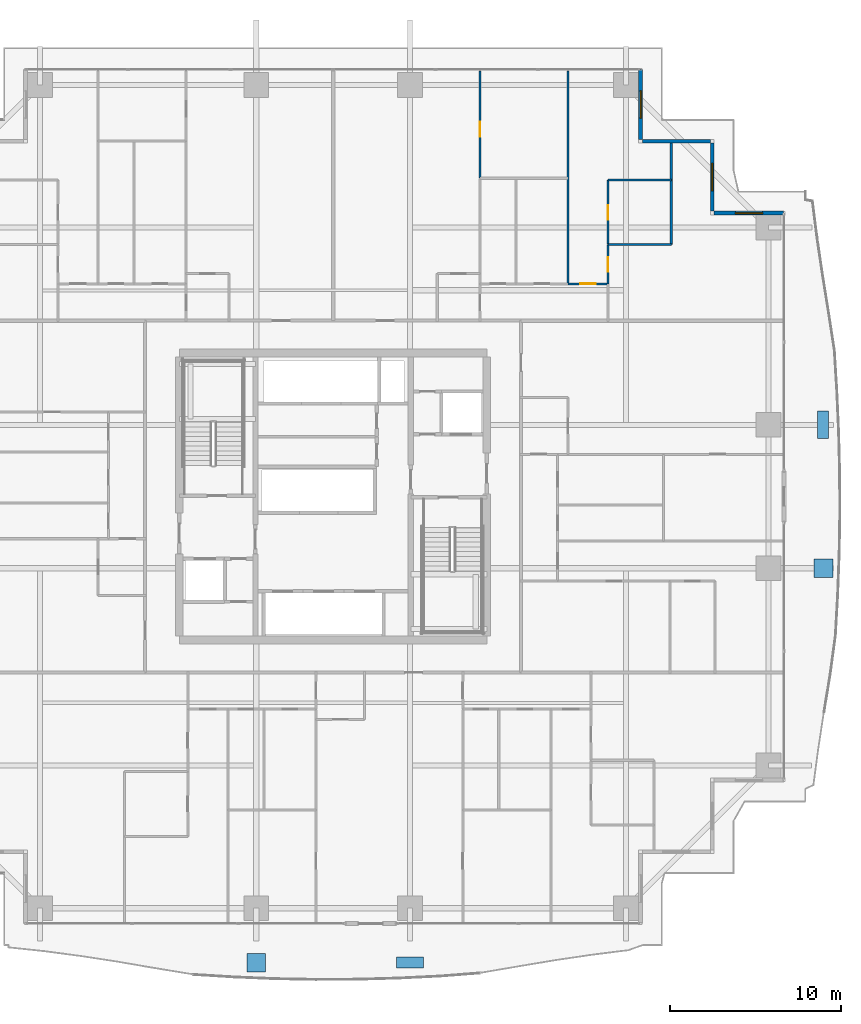
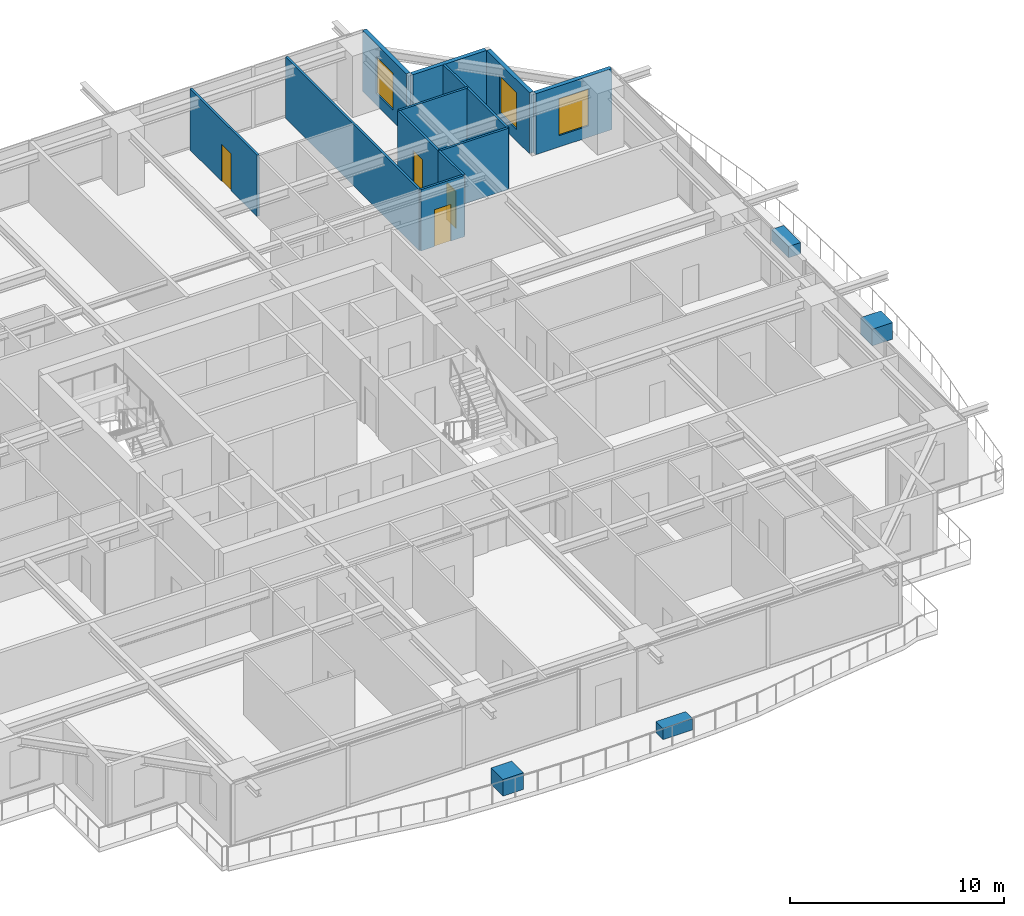
# One storey, part 32 of 39: 12 walls, 4 discrete accessories, 4 doors, 3 windows, 7 openings.
"""IFC4 building model written with IfcOpenShell, lengths in metres."""

from ifc_helpers import new_model, si_unit, direction, frame, frame_2d, origin, origin_2d, place, context, subcontext, project, spatial, rectangle, extrude, source, transform, mapped, material, layer, layer_set, type_object, element, fill, save


model = new_model("IFC4")

# Units and contexts
model_context = context("Model", 3, precision=1e-05, world=origin(), true_north=direction((0.0, 1.0)))
body_context = subcontext(model_context, "Body", "Model", "MODEL_VIEW")
ifc_project = project(units=[si_unit("LENGTHUNIT", "METRE"), si_unit("AREAUNIT", "SQUARE_METRE"), si_unit("VOLUMEUNIT", "CUBIC_METRE"), si_unit("PLANEANGLEUNIT", "RADIAN"), si_unit("MASSUNIT", "GRAM", prefix="KILO")], contexts=[model_context])

# Site, building, storey
site_placement = place(None, origin())
site = spatial("IfcSite", under=ifc_project, at=site_placement, CompositionType="ELEMENT")
building_placement = place(site_placement, origin())
building = spatial("IfcBuilding", under=site, at=building_placement, Name="Serunith Strait Residences", CompositionType="ELEMENT")
storey_placement = place(building_placement, frame((0.0, 0.0, 94.199951171875)))
storey = spatial("IfcBuildingStorey", under=building, at=storey_placement, Name="L23", CompositionType="ELEMENT", Elevation=94.199951171875)

# Wall, opening, window
ifc_material_1 = material(Name="Pale-Champagne Aluminium Insulated Panel", Category="aluminium")
ifc_layer_1 = layer(ifc_material_1, 0.219970703125, Name="Pale-Champagne Aluminium Insulated Panel")
ifc_layer_set_1 = layer_set([ifc_layer_1], Name="Pale-Champagne Aluminium Insulated Panel")
wall_type_1 = type_object("IfcWallType", Name="EW-ALUM-220", PredefinedType="ELEMENTEDWALL", material=ifc_layer_set_1)
wall_1_placement = place(storey_placement, frame((58.800048828125, 41.800048828125, 0.0), z_axis=(0.0, 0.0, 1.0), x_axis=(-1.0, 0.0, 0.0)))
wall_1 = element("IfcWall", 1, at=wall_1_placement, inside=storey, type_object=wall_type_1, Name="L23 Girih Serrated Corner Wall 07", PredefinedType="ELEMENTEDWALL", context=body_context, shape_type="SweptSolid", body=[
    extrude(rectangle(XDim=4.090087890625, YDim=0.219970703125, at=frame_2d((2.044921875, 0.0))), origin(), (0.0, 0.0, 1.0), 3.47509765625),
])
opening_1_placement = place(wall_1_placement, frame((1.2451171875, 0.0, 0.64990234375)))
opening_1 = element("IfcOpeningElement", 2, at=opening_1_placement, cuts=wall_1, Name="Opening W-02", PredefinedType="OPENING", context=body_context, shape_type="SweptSolid", body=[
    extrude(rectangle(XDim=1.60009765625, YDim=2.10009765625, at=frame_2d((0.800048828125, 1.050048828125))), frame((0.0, 0.1201171875, 0.0), z_axis=(0.0, -1.0, 0.0), x_axis=(1.0, 0.0, 0.0)), (0.0, 0.0, 1.0), 0.239990234375),
])
ifc_material_2 = material(Name="Ceramic-Fritted Operable Aluminium Window Glass", Category="aluminium")
window_type = type_object("IfcWindowType", Name="WIN-C2", PartitioningType="DOUBLE_PANEL_VERTICAL", PredefinedType="WINDOW", material=ifc_material_2)
shared_shape_1 = source(origin(), body_context, "Body", "SweptSolid", [
    extrude(rectangle(XDim=1.60009765625, YDim=2.10009765625, at=frame_2d((0.800048828125, 1.050048828125))), frame((0.0, 0.030029296875, 0.0), z_axis=(0.0, -1.0, 0.0), x_axis=(1.0, 0.0, 0.0)), (0.0, 0.0, 1.0), 0.06005859375),
])
window_1_placement = place(opening_1_placement, origin())
window_1 = element("IfcWindow", 3, at=window_1_placement, inside=storey, type_object=window_type, Name="L23 Corner Operable Fritted Window 07", OverallHeight=2.10009765625, OverallWidth=1.60009765625, PartitioningType="SINGLE_PANEL", PredefinedType="WINDOW", context=body_context, shape_type="MappedRepresentation", body=[
    mapped(shared_shape_1, transform((0.0, 0.0, 0.0), scale=1.0)),
])
fill(opening_1, window_1)

wall_2_placement = place(storey_placement, frame((54.60009765625, 41.909912109375, 0.0), z_axis=(0.0, 0.0, 1.0), x_axis=(0.0, 1.0, 0.0)))
wall_2 = element("IfcWall", 4, at=wall_2_placement, inside=storey, type_object=wall_type_1, Name="L23 Girih Serrated Corner Wall 08", PredefinedType="ELEMENTEDWALL", context=body_context, shape_type="SweptSolid", body=[
    extrude(rectangle(XDim=3.97998046875, YDim=0.219970703125, at=frame_2d((1.989990234375, 0.0))), origin(), (0.0, 0.0, 1.0), 3.47509765625),
])
opening_2_placement = place(wall_2_placement, frame((1.18994140625, 0.0, 0.64990234375)))
opening_2 = element("IfcOpeningElement", 5, at=opening_2_placement, cuts=wall_2, Name="Opening W-02", PredefinedType="OPENING", context=body_context, shape_type="SweptSolid", body=[
    extrude(rectangle(XDim=1.60009765625, YDim=2.10009765625, at=frame_2d((0.800048828125, 1.050048828125))), frame((0.0, 0.1201171875, 0.0), z_axis=(0.0, -1.0, 0.0), x_axis=(1.0, 0.0, 0.0)), (0.0, 0.0, 1.0), 0.239990234375),
])
window_2_placement = place(opening_2_placement, origin())
window_2 = element("IfcWindow", 6, at=window_2_placement, inside=storey, type_object=window_type, Name="L23 Corner Operable Fritted Window 08", OverallHeight=2.10009765625, OverallWidth=1.60009765625, PartitioningType="SINGLE_PANEL", PredefinedType="WINDOW", context=body_context, shape_type="MappedRepresentation", body=[
    mapped(shared_shape_1, transform((0.0, 0.0, 0.0), scale=1.0)),
])
fill(opening_2, window_2)

# Wall
wall_3_placement = place(storey_placement, frame((54.489990234375, 46.0, 0.0), z_axis=(0.0, 0.0, 1.0), x_axis=(-1.0, 0.0, 0.0)))
element("IfcWall", 7, at=wall_3_placement, inside=storey, type_object=wall_type_1, Name="L23 Girih Serrated Corner Wall 09", PredefinedType="ELEMENTEDWALL", context=body_context, shape_type="SweptSolid", body=[
    extrude(rectangle(XDim=3.97998046875, YDim=0.219970703125, at=frame_2d((1.989990234375, 0.0))), origin(), (0.0, 0.0, 1.0), 3.47509765625),
])

# Wall, opening, window
wall_4_placement = place(storey_placement, frame((50.39990234375, 46.110107421875, 0.0), z_axis=(0.0, 0.0, 1.0), x_axis=(0.0, 1.0, 0.0)))
wall_4 = element("IfcWall", 8, at=wall_4_placement, inside=storey, type_object=wall_type_1, Name="L23 Girih Serrated Corner Wall 10", PredefinedType="ELEMENTEDWALL", context=body_context, shape_type="SweptSolid", body=[
    extrude(rectangle(XDim=4.08984375, YDim=0.219970703125, at=frame_2d((2.044921875, 0.0))), origin(), (0.0, 0.0, 1.0), 3.47509765625),
])
opening_3_placement = place(wall_4_placement, frame((1.2451171875, 0.0, 0.64990234375)))
opening_3 = element("IfcOpeningElement", 9, at=opening_3_placement, cuts=wall_4, Name="Opening W-02", PredefinedType="OPENING", context=body_context, shape_type="SweptSolid", body=[
    extrude(rectangle(XDim=1.60009765625, YDim=2.10009765625, at=frame_2d((0.800048828125, 1.050048828125))), frame((0.0, 0.1201171875, 0.0), z_axis=(0.0, -1.0, 0.0), x_axis=(1.0, 0.0, 0.0)), (0.0, 0.0, 1.0), 0.239990234375),
])
window_3_placement = place(opening_3_placement, origin())
window_3 = element("IfcWindow", 10, at=window_3_placement, inside=storey, type_object=window_type, Name="L23 Corner Operable Fritted Window 10", OverallHeight=2.10009765625, OverallWidth=1.60009765625, PartitioningType="SINGLE_PANEL", PredefinedType="WINDOW", context=body_context, shape_type="MappedRepresentation", body=[
    mapped(shared_shape_1, transform((0.0, 0.0, 0.0), scale=1.0)),
])
fill(opening_3, window_3)

# Wall, opening, door
ifc_material_3 = material(Name="Lightweight steel-stud gypsum partition", Category="steel")
ifc_layer_2 = layer(ifc_material_3, 0.1201171875, Name="Lightweight steel-stud gypsum partition")
ifc_layer_set_2 = layer_set([ifc_layer_2], Name="Lightweight steel-stud gypsum partition")
wall_type_2 = type_object("IfcWallType", Name="IW-PART-120", PredefinedType="PARTITIONING", material=ifc_layer_set_2)
wall_5_placement = place(storey_placement, frame((41.0, 50.10498046875, 0.0), z_axis=(0.0, 0.0, 1.0), x_axis=(0.0, -1.0, 0.0)))
wall_5 = element("IfcWall", 11, at=wall_5_placement, inside=storey, type_object=wall_type_2, Name="L23 Partition Wall 078", PredefinedType="PARTITIONING", context=body_context, shape_type="SweptSolid", body=[
    extrude(rectangle(XDim=6.26904296875, YDim=0.1201171875, at=frame_2d((3.134521484375, 0.0))), origin(), (0.0, 0.0, 1.0), 3.489990234375),
])
opening_4_placement = place(wall_5_placement, frame((2.952880859375, 0.0, 0.0)))
opening_4 = element("IfcOpeningElement", 12, at=opening_4_placement, cuts=wall_5, Name="Opening D-RM900", PredefinedType="OPENING", context=body_context, shape_type="SweptSolid", body=[
    extrude(rectangle(XDim=0.89990234375, YDim=2.10009765625, at=frame_2d((0.449951171875, 1.050048828125))), frame((0.0, 0.070068359375, 0.0), z_axis=(0.0, -1.0, 0.0), x_axis=(1.0, 0.0, 0.0)), (0.0, 0.0, 1.0), 0.14013671875),
])
ifc_material_4 = material(Name="Engineered timber flush bedroom door", Category="wood")
door_type_1 = type_object("IfcDoorType", Name="ID-ROOM-900", OperationType="NOTDEFINED", PredefinedType="DOOR", material=ifc_material_4)
shared_shape_2 = source(origin(), body_context, "Body", "SweptSolid", [
    extrude(rectangle(XDim=0.89990234375, YDim=2.10009765625, at=frame_2d((0.449951171875, 1.050048828125))), frame((0.0, 0.02490234375, 0.0), z_axis=(0.0, -1.0, 0.0), x_axis=(1.0, 0.0, 0.0)), (0.0, 0.0, 1.0), 0.050048828125),
])
door_1_placement = place(opening_4_placement, origin())
door_1 = element("IfcDoor", 13, at=door_1_placement, inside=storey, type_object=door_type_1, Name="L23 Formal Dining Room 1 2303 Door", OperationType="SINGLE_SWING_RIGHT", OverallHeight=2.10009765625, OverallWidth=0.89990234375, PredefinedType="DOOR", context=body_context, shape_type="MappedRepresentation", body=[
    mapped(shared_shape_2, transform((0.0, 0.0, 0.0), scale=1.0)),
])
fill(opening_4, door_1)

# Wall
wall_6_placement = place(storey_placement, frame((46.14990234375, 50.10498046875, 0.0), z_axis=(0.0, 0.0, 1.0), x_axis=(0.0, -1.0, 0.0)))
element("IfcWall", 14, at=wall_6_placement, inside=storey, type_object=wall_type_2, Name="L23 Partition Wall 081", PredefinedType="PARTITIONING", context=body_context, shape_type="SweptSolid", body=[
    extrude(rectangle(XDim=12.455078125, YDim=0.1201171875, at=frame_2d((6.2275390625, 0.0))), origin(), (0.0, 0.0, 1.0), 3.489990234375),
])

# Wall, opening, door
wall_7_placement = place(storey_placement, frame((46.152099609375, 37.64990234375, 0.0), z_axis=(0.0, 0.0, 1.0), x_axis=(1.0, 0.0, 0.0)))
wall_7 = element("IfcWall", 15, at=wall_7_placement, inside=storey, type_object=wall_type_2, Name="L23 Partition Wall 085", PredefinedType="PARTITIONING", context=body_context, shape_type="SweptSolid", body=[
    extrude(rectangle(XDim=2.347900390625, YDim=0.1201171875, at=frame_2d((1.173828125, 0.0))), origin(), (0.0, 0.0, 1.0), 3.489990234375),
])
opening_5_placement = place(wall_7_placement, frame((0.72412109375, 0.0, 0.0)))
opening_5 = element("IfcOpeningElement", 16, at=opening_5_placement, cuts=wall_7, Name="Opening D-RM900", PredefinedType="OPENING", context=body_context, shape_type="SweptSolid", body=[
    extrude(rectangle(XDim=0.89990234375, YDim=2.10009765625, at=frame_2d((0.449951171875, 1.050048828125))), frame((0.0, 0.070068359375, 0.0), z_axis=(0.0, -1.0, 0.0), x_axis=(1.0, 0.0, 0.0)), (0.0, 0.0, 1.0), 0.14013671875),
])
door_2_placement = place(opening_5_placement, origin())
door_2 = element("IfcDoor", 17, at=door_2_placement, inside=storey, type_object=door_type_1, Name="L23 Master Bedroom E 2303 Door", OperationType="SINGLE_SWING_LEFT", OverallHeight=2.10009765625, OverallWidth=0.89990234375, PredefinedType="DOOR", context=body_context, shape_type="MappedRepresentation", body=[
    mapped(shared_shape_2, transform((0.0, 0.0, 0.0), scale=1.0)),
])
fill(opening_5, door_2)

# Walls
wall_8_placement = place(storey_placement, frame((48.5, 43.72802734375, 0.0), z_axis=(0.0, 0.0, 1.0), x_axis=(1.0, 0.0, 0.0)))
element("IfcWall", 18, at=wall_8_placement, inside=storey, type_object=wall_type_2, Name="L23 Partition Wall 086", PredefinedType="PARTITIONING", context=body_context, shape_type="SweptSolid", body=[
    extrude(rectangle(XDim=3.699951171875, YDim=0.1201171875, at=frame_2d((1.85009765625, 0.0))), origin(), (0.0, 0.0, 1.0), 3.489990234375),
])
wall_9_placement = place(storey_placement, frame((52.199951171875, 45.905029296875, 0.0), z_axis=(0.0, 0.0, 1.0), x_axis=(0.0, -1.0, 0.0)))
element("IfcWall", 19, at=wall_9_placement, inside=storey, type_object=wall_type_2, Name="L23 Partition Wall 087", PredefinedType="PARTITIONING", context=body_context, shape_type="SweptSolid", body=[
    extrude(rectangle(XDim=5.9609375, YDim=0.1201171875, at=frame_2d((2.98046875, 0.0))), origin(), (0.0, 0.0, 1.0), 3.489990234375),
])
wall_10_placement = place(storey_placement, frame((48.5, 39.944091796875, 0.0), z_axis=(0.0, 0.0, 1.0), x_axis=(1.0, 0.0, 0.0)))
element("IfcWall", 20, at=wall_10_placement, inside=storey, type_object=wall_type_2, Name="L23 Partition Wall 088", PredefinedType="PARTITIONING", context=body_context, shape_type="SweptSolid", body=[
    extrude(rectangle(XDim=3.699951171875, YDim=0.1201171875, at=frame_2d((1.85009765625, 0.0))), origin(), (0.0, 0.0, 1.0), 3.489990234375),
])

# Wall, opening, door
wall_11_placement = place(storey_placement, frame((48.5, 43.72802734375, 0.0), z_axis=(0.0, 0.0, 1.0), x_axis=(0.0, -1.0, 0.0)))
wall_11 = element("IfcWall", 21, at=wall_11_placement, inside=storey, type_object=wall_type_2, Name="L23 Partition Wall 089", PredefinedType="PARTITIONING", context=body_context, shape_type="SweptSolid", body=[
    extrude(rectangle(XDim=3.783935546875, YDim=0.1201171875, at=frame_2d((1.89208984375, 0.0))), origin(), (0.0, 0.0, 1.0), 3.489990234375),
])
opening_6_placement = place(wall_11_placement, frame((1.467041015625, 0.0, 0.0)))
opening_6 = element("IfcOpeningElement", 22, at=opening_6_placement, cuts=wall_11, Name="Opening D-BTH850", PredefinedType="OPENING", context=body_context, shape_type="SweptSolid", body=[
    extrude(rectangle(XDim=0.85009765625, YDim=2.10009765625, at=frame_2d((0.425048828125, 1.050048828125))), frame((0.0, 0.070068359375, 0.0), z_axis=(0.0, -1.0, 0.0), x_axis=(1.0, 0.0, 0.0)), (0.0, 0.0, 1.0), 0.14013671875),
])
ifc_material_5 = material(Name="Moisture-resistant timber bathroom door", Category="wood")
door_type_2 = type_object("IfcDoorType", Name="ID-BATH-850", OperationType="NOTDEFINED", PredefinedType="DOOR", material=ifc_material_5)
shared_shape_3 = source(origin(), body_context, "Body", "SweptSolid", [
    extrude(rectangle(XDim=0.85009765625, YDim=2.10009765625, at=frame_2d((0.425048828125, 1.050048828125))), frame((0.0, 0.02490234375, 0.0), z_axis=(0.0, -1.0, 0.0), x_axis=(1.0, 0.0, 0.0)), (0.0, 0.0, 1.0), 0.050048828125),
])
door_3_placement = place(opening_6_placement, origin())
door_3 = element("IfcDoor", 23, at=door_3_placement, inside=storey, type_object=door_type_2, Name="L23 En-suite Bathroom E 2303 Door", OperationType="SINGLE_SWING_RIGHT", OverallHeight=2.10009765625, OverallWidth=0.85009765625, PredefinedType="DOOR", context=body_context, shape_type="MappedRepresentation", body=[
    mapped(shared_shape_3, transform((0.0, 0.0, 0.0), scale=1.0)),
])
fill(opening_6, door_3)

wall_12_placement = place(storey_placement, frame((48.5, 39.94189453125, 0.0), z_axis=(0.0, 0.0, 1.0), x_axis=(0.0, -1.0, 0.0)))
wall_12 = element("IfcWall", 24, at=wall_12_placement, inside=storey, type_object=wall_type_2, Name="L23 Partition Wall 090", PredefinedType="PARTITIONING", context=body_context, shape_type="SweptSolid", body=[
    extrude(rectangle(XDim=2.2919921875, YDim=0.1201171875, at=frame_2d((1.14599609375, 0.0))), origin(), (0.0, 0.0, 1.0), 3.489990234375),
])
opening_7_placement = place(wall_12_placement, frame((0.720947265625, 0.0, 0.0)))
opening_7 = element("IfcOpeningElement", 25, at=opening_7_placement, cuts=wall_12, Name="Opening D-RM850", PredefinedType="OPENING", context=body_context, shape_type="SweptSolid", body=[
    extrude(rectangle(XDim=0.85009765625, YDim=2.10009765625, at=frame_2d((0.425048828125, 1.050048828125))), frame((0.0, 0.070068359375, 0.0), z_axis=(0.0, -1.0, 0.0), x_axis=(1.0, 0.0, 0.0)), (0.0, 0.0, 1.0), 0.14013671875),
])
ifc_material_6 = material(Name="Engineered timber flush study and kitchen door", Category="wood")
door_type_3 = type_object("IfcDoorType", Name="ID-ROOM-850", OperationType="NOTDEFINED", PredefinedType="DOOR", material=ifc_material_6)
door_4_placement = place(opening_7_placement, origin())
door_4 = element("IfcDoor", 26, at=door_4_placement, inside=storey, type_object=door_type_3, Name="L23 Wardrobe E 2303 Door", OperationType="SINGLE_SWING_LEFT", OverallHeight=2.10009765625, OverallWidth=0.85009765625, PredefinedType="DOOR", context=body_context, shape_type="MappedRepresentation", body=[
    mapped(shared_shape_3, transform((0.0, 0.0, 0.0), scale=1.0)),
])
fill(opening_7, door_4)

# Discrete accessories
ifc_material_7 = material(Name="GFRC Root-Anchored Structural Planter")
discrete_accessory_type_1 = type_object("IfcDiscreteAccessoryType", Name="ACC-PLANTER-TREE", PredefinedType="USERDEFINED", material=ifc_material_7)
shared_shape_4 = source(origin(), body_context, "Body", "SweptSolid", [
    extrude(rectangle(XDim=1.10009765625, YDim=1.10009765625, at=origin_2d()), origin(), (0.0, 0.0, 1.0), 0.949951171875),
])
for number, where, z_axis, x_axis, name in (
    (27, (27.89990234375, -2.088134765625, -0.0498046875), (0.0, 0.0, 1.0), (1.0, 0.0, 0.0), "L23 Vertical-Forest Tree Planter 02"),
    (28, (61.1083984375, 21.0, -0.0498046875), (0.0, 0.0, 1.0), (0.0, 1.0, 0.0), "L23 Vertical-Forest Tree Planter 10"),
):
    element("IfcDiscreteAccessory", number, at=place(storey_placement, frame(where, z_axis=z_axis, x_axis=x_axis)), inside=storey, type_object=discrete_accessory_type_1, Name=name, ObjectType="PLANTER", PredefinedType="USERDEFINED", context=body_context, shape_type="MappedRepresentation", body=[
        mapped(shared_shape_4, transform((0.0, 0.0, 0.0), scale=1.0)),
    ])
ifc_material_8 = material(Name="GFRC Irrigated Shrub Trough Planter")
discrete_accessory_type_2 = type_object("IfcDiscreteAccessoryType", Name="ACC-PLANTER-SHRUB", PredefinedType="USERDEFINED", material=ifc_material_8)
shared_shape_5 = source(origin(), body_context, "Body", "SweptSolid", [
    extrude(rectangle(XDim=1.60009765625, YDim=0.64990234375, at=origin_2d()), origin(), (0.0, 0.0, 1.0), 0.64990234375),
])
for number, where, z_axis, x_axis, name in (
    (29, (36.89990234375, -2.06689453125, -0.0498046875), (0.0, 0.0, 1.0), (1.0, 0.0, 0.0), "L23 Vertical-Forest Shrub Planter 03"),
    (30, (61.08984375, 29.39990234375, -0.0498046875), (0.0, 0.0, 1.0), (0.0, 1.0, 0.0), "L23 Vertical-Forest Shrub Planter 11"),
):
    element("IfcDiscreteAccessory", number, at=place(storey_placement, frame(where, z_axis=z_axis, x_axis=x_axis)), inside=storey, type_object=discrete_accessory_type_2, Name=name, ObjectType="PLANTER", PredefinedType="USERDEFINED", context=body_context, shape_type="MappedRepresentation", body=[
        mapped(shared_shape_5, transform((0.0, 0.0, 0.0), scale=1.0)),
    ])

save(model, "model.ifc")
